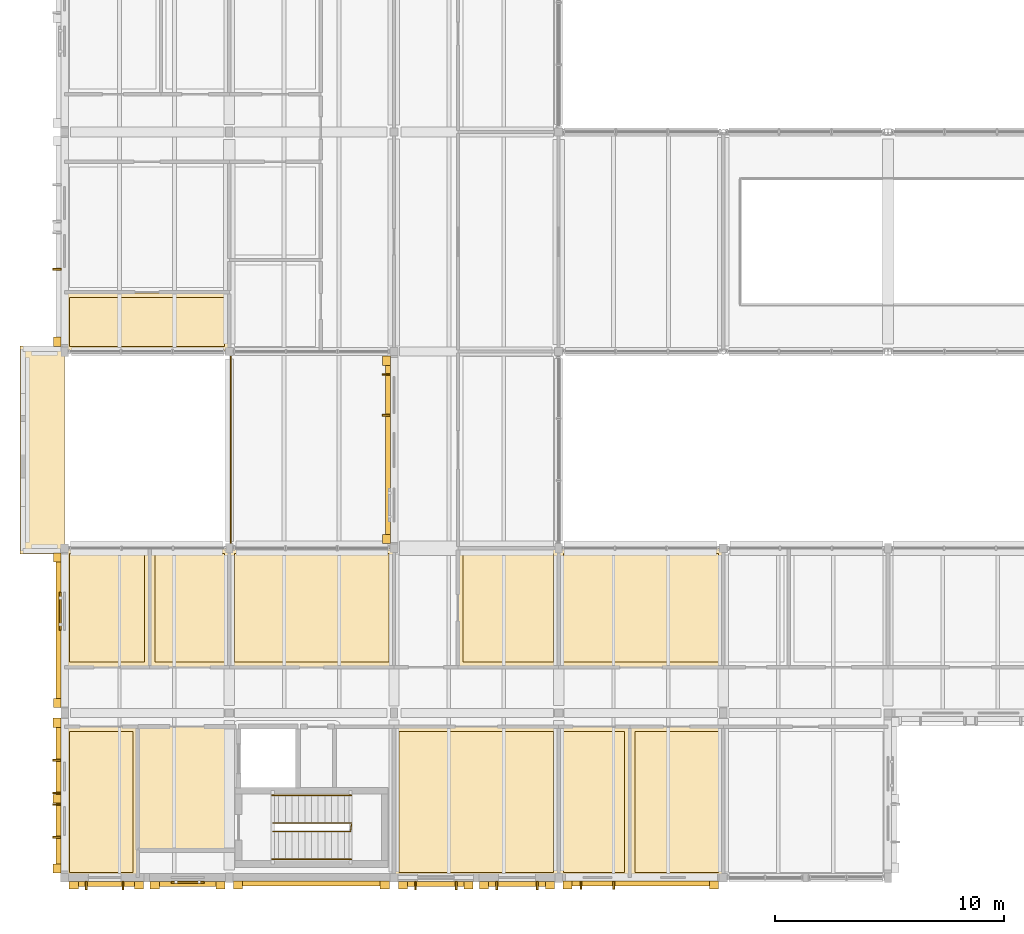
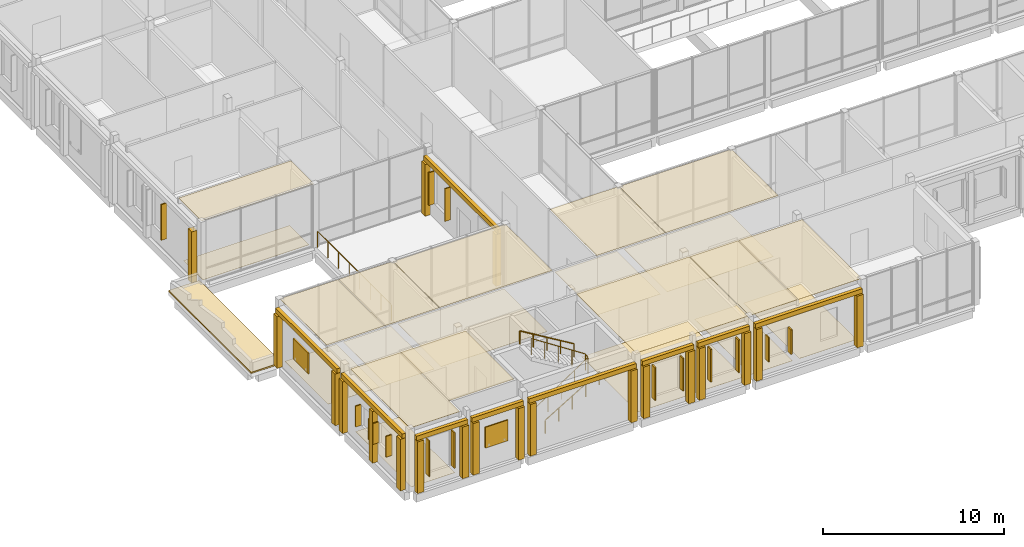
# One storey, part 131 of 146: 51 coverings, 17 shading devices, 4 railings.
"""IFC4 building model written with IfcOpenShell, lengths in metres."""

from ifc_helpers import new_model, si_unit, direction, frame, origin, origin_2d, place, context, subcontext, project, spatial, polyline, rectangle, circle, outline, extrude, material, layer, layer_set, type_object, element, save


model = new_model("IFC4")

# Units and contexts
model_context = context("Model", 3, precision=1e-05, world=origin(), true_north=direction((0.0, 1.0)))
body_context = subcontext(model_context, "Body", "Model", "MODEL_VIEW")
ifc_project = project(units=[si_unit("LENGTHUNIT", "METRE"), si_unit("AREAUNIT", "SQUARE_METRE"), si_unit("VOLUMEUNIT", "CUBIC_METRE"), si_unit("PLANEANGLEUNIT", "RADIAN"), si_unit("MASSUNIT", "GRAM", prefix="KILO")], contexts=[model_context])

# Site, building, storey
site_placement = place(None, origin())
site = spatial("IfcSite", under=ifc_project, at=site_placement, CompositionType="ELEMENT")
building_placement = place(site_placement, origin())
building = spatial("IfcBuilding", under=site, at=building_placement, Name="Hawrajan Terrace Health Centre", CompositionType="ELEMENT")
storey_placement = place(building_placement, frame((0.0, 0.0, 4.5)))
storey = spatial("IfcBuildingStorey", under=building, at=storey_placement, Name="L01", CompositionType="ELEMENT", Elevation=4.5)

# Coverings
ifc_material_1 = material(Name="Precast concrete C40/50", Category="concrete")
ifc_layer_1 = layer(ifc_material_1, 0.219970703125)
ifc_layer_set_1 = layer_set([ifc_layer_1], Name="Precast concrete C40/50")
covering_type_1 = type_object("IfcCoveringType", Name="ArtDecoCorniceBand", PredefinedType="CLADDING", material=ifc_layer_set_1)
covering_1_placement = place(storey_placement, frame((6.429931640625, 3.929931640625, 3.48974609375), z_axis=(0.0, 0.0, 1.0), x_axis=(1.0, 0.0, 0.0)))
element("IfcCovering", 1, at=covering_1_placement, inside=storey, type_object=covering_type_1, Name="Art Deco limestone cornice band CRN-L01-0047", PredefinedType="CLADDING", context=body_context, shape_type="SweptSolid", body=[
    extrude(rectangle(XDim=3.260009765625, YDim=0.219970703125, at=origin_2d()), origin(), (0.0, 0.0, 1.0), 0.300048828125),
])
covering_2_placement = place(storey_placement, frame((9.97998046875, 3.929931640625, 3.48974609375), z_axis=(0.0, 0.0, 1.0), x_axis=(1.0, 0.0, 0.0)))
element("IfcCovering", 2, at=covering_2_placement, inside=storey, type_object=covering_type_1, Name="Art Deco limestone cornice band CRN-L01-0048", PredefinedType="CLADDING", context=body_context, shape_type="SweptSolid", body=[
    extrude(rectangle(XDim=3.280029296875, YDim=0.219970703125, at=origin_2d()), origin(), (0.0, 0.0, 1.0), 0.300048828125),
])
for number, where, z_axis, x_axis, name in (
    (3, (4.330078125, 7.784912109375, 3.48974609375), (0.0, 0.0, 1.0), (0.0, 1.0, 0.0), "Art Deco limestone cornice band CRN-L01-0049"),
    (4, (4.340087890625, 15.014892578125, 3.48974609375), (0.0, 0.0, 1.0), (0.0, 1.0, 0.0), "Art Deco limestone cornice band CRN-L01-0050"),
):
    element("IfcCovering", number, at=place(storey_placement, frame(where, z_axis=z_axis, x_axis=x_axis)), inside=storey, type_object=covering_type_1, Name=name, PredefinedType="CLADDING", context=body_context, shape_type="SweptSolid", body=[
        extrude(rectangle(XDim=6.77001953125, YDim=0.219970703125, at=origin_2d()), origin(), (0.0, 0.0, 1.0), 0.300048828125),
    ])
covering_3_placement = place(storey_placement, frame((15.389892578125, 3.93994140625, 3.48974609375), z_axis=(0.0, 0.0, 1.0), x_axis=(1.0, 0.0, 0.0)))
element("IfcCovering", 5, at=covering_3_placement, inside=storey, type_object=covering_type_1, Name="Art Deco limestone cornice band CRN-L01-0057", PredefinedType="CLADDING", context=body_context, shape_type="SweptSolid", body=[
    extrude(rectangle(XDim=6.820068359375, YDim=0.219970703125, at=origin_2d()), origin(), (0.0, 0.0, 1.0), 0.300048828125),
])
covering_4_placement = place(storey_placement, frame((20.830078125, 3.929931640625, 3.48974609375), z_axis=(0.0, 0.0, 1.0), x_axis=(1.0, 0.0, 0.0)))
element("IfcCovering", 6, at=covering_4_placement, inside=storey, type_object=covering_type_1, Name="Art Deco limestone cornice band CRN-L01-0059", PredefinedType="CLADDING", context=body_context, shape_type="SweptSolid", body=[
    extrude(rectangle(XDim=3.260009765625, YDim=0.219970703125, at=origin_2d()), origin(), (0.0, 0.0, 1.0), 0.300048828125),
])
covering_5_placement = place(storey_placement, frame((24.3798828125, 3.929931640625, 3.48974609375), z_axis=(0.0, 0.0, 1.0), x_axis=(1.0, 0.0, 0.0)))
element("IfcCovering", 7, at=covering_5_placement, inside=storey, type_object=covering_type_1, Name="Art Deco limestone cornice band CRN-L01-0060", PredefinedType="CLADDING", context=body_context, shape_type="SweptSolid", body=[
    extrude(rectangle(XDim=3.280029296875, YDim=0.219970703125, at=origin_2d()), origin(), (0.0, 0.0, 1.0), 0.300048828125),
])
covering_6_placement = place(storey_placement, frame((18.72998046875, 22.89990234375, 3.48974609375), z_axis=(0.0, 0.0, 1.0), x_axis=(0.0, 1.0, 0.0)))
element("IfcCovering", 8, at=covering_6_placement, inside=storey, type_object=covering_type_1, Name="Art Deco limestone cornice band CRN-L01-0061", PredefinedType="CLADDING", context=body_context, shape_type="SweptSolid", body=[
    extrude(rectangle(XDim=8.199951171875, YDim=0.219970703125, at=origin_2d()), origin(), (0.0, 0.0, 1.0), 0.300048828125),
])
covering_7_placement = place(storey_placement, frame((29.7900390625, 3.93994140625, 3.48974609375), z_axis=(0.0, 0.0, 1.0), x_axis=(1.0, 0.0, 0.0)))
element("IfcCovering", 9, at=covering_7_placement, inside=storey, type_object=covering_type_1, Name="Art Deco limestone cornice band CRN-L01-0064", PredefinedType="CLADDING", context=body_context, shape_type="SweptSolid", body=[
    extrude(rectangle(XDim=6.820068359375, YDim=0.219970703125, at=origin_2d()), origin(), (0.0, 0.0, 1.0), 0.300048828125),
])
ifc_layer_2 = layer(ifc_material_1, 0.340087890625)
ifc_layer_set_2 = layer_set([ifc_layer_2], Name="Precast concrete C40/50")
covering_type_2 = type_object("IfcCoveringType", Name="ArtDecoStonePilaster", PredefinedType="CLADDING", material=ifc_layer_set_2)
for number, where, z_axis, x_axis, name in (
    (10, (5.0, 3.8701171875, 0.0), (0.0, 0.0, 1.0), (1.0, 0.0, 0.0), "Art Deco fluted limestone pilaster FPIL-L01-0063"),
    (11, (7.860107421875, 3.8701171875, 0.0), (0.0, 0.0, 1.0), (1.0, 0.0, 0.0), "Art Deco fluted limestone pilaster FPIL-L01-0064"),
    (12, (8.5400390625, 3.8701171875, 0.0), (0.0, 0.0, 1.0), (1.0, 0.0, 0.0), "Art Deco fluted limestone pilaster FPIL-L01-0065"),
    (13, (11.419921875, 3.8701171875, 0.0), (0.0, 0.0, 1.0), (1.0, 0.0, 0.0), "Art Deco fluted limestone pilaster FPIL-L01-0066"),
    (14, (4.27001953125, 4.60009765625, 0.0), (0.0, 0.0, 1.0), (0.0, 1.0, 0.0), "Art Deco fluted limestone pilaster FPIL-L01-0067"),
    (15, (4.27001953125, 10.969970703125, 0.0), (0.0, 0.0, 1.0), (0.0, 1.0, 0.0), "Art Deco fluted limestone pilaster FPIL-L01-0068"),
):
    element("IfcCovering", number, at=place(storey_placement, frame(where, z_axis=z_axis, x_axis=x_axis)), inside=storey, type_object=covering_type_2, Name=name, PredefinedType="CLADDING", context=body_context, shape_type="SweptSolid", body=[
        extrude(rectangle(XDim=0.39990234375, YDim=0.340087890625, at=origin_2d()), origin(), (0.0, 0.0, 1.0), 3.47998046875),
    ])
covering_8_placement = place(storey_placement, frame((4.27001953125, 7.64990234375, 0.0), z_axis=(0.0, 0.0, 1.0), x_axis=(0.0, 1.0, 0.0)))
element("IfcCovering", 16, at=covering_8_placement, inside=storey, type_object=covering_type_2, Name="Art Deco mullion pilaster FPIL-L01-0069", PredefinedType="CLADDING", context=body_context, shape_type="SweptSolid", body=[
    extrude(rectangle(XDim=0.360107421875, YDim=0.340087890625, at=origin_2d()), origin(), (0.0, 0.0, 1.0), 3.47998046875),
])
for number, where, z_axis, x_axis, name in (
    (17, (4.280029296875, 11.830078125, 0.0), (0.0, 0.0, 1.0), (0.0, 1.0, 0.0), "Art Deco fluted limestone pilaster FPIL-L01-0070"),
    (18, (4.280029296875, 18.199951171875, 0.0), (0.0, 0.0, 1.0), (0.0, 1.0, 0.0), "Art Deco fluted limestone pilaster FPIL-L01-0071"),
    (19, (4.280029296875, 27.6298828125, 0.0), (0.0, 0.0, 1.0), (0.0, 1.0, 0.0), "Art Deco fluted limestone pilaster FPIL-L01-0072"),
    (20, (12.179931640625, 3.8798828125, 0.0), (0.0, 0.0, 1.0), (1.0, 0.0, 0.0), "Art Deco fluted limestone pilaster FPIL-L01-0087"),
    (21, (18.60009765625, 3.8798828125, 0.0), (0.0, 0.0, 1.0), (1.0, 0.0, 0.0), "Art Deco fluted limestone pilaster FPIL-L01-0088"),
    (22, (19.39990234375, 3.8701171875, 0.0), (0.0, 0.0, 1.0), (1.0, 0.0, 0.0), "Art Deco fluted limestone pilaster FPIL-L01-0091"),
    (23, (22.260009765625, 3.8701171875, 0.0), (0.0, 0.0, 1.0), (1.0, 0.0, 0.0), "Art Deco fluted limestone pilaster FPIL-L01-0092"),
    (24, (22.93994140625, 3.8701171875, 0.0), (0.0, 0.0, 1.0), (1.0, 0.0, 0.0), "Art Deco fluted limestone pilaster FPIL-L01-0093"),
    (25, (25.820068359375, 3.8701171875, 0.0), (0.0, 0.0, 1.0), (1.0, 0.0, 0.0), "Art Deco fluted limestone pilaster FPIL-L01-0094"),
    (26, (18.669921875, 19.0, 0.0), (0.0, 0.0, 1.0), (0.0, 1.0, 0.0), "Art Deco fluted limestone pilaster FPIL-L01-0095"),
    (27, (18.669921875, 26.800048828125, 0.0), (0.0, 0.0, 1.0), (0.0, 1.0, 0.0), "Art Deco fluted limestone pilaster FPIL-L01-0096"),
    (28, (26.580078125, 3.8798828125, 0.0), (0.0, 0.0, 1.0), (1.0, 0.0, 0.0), "Art Deco fluted limestone pilaster FPIL-L01-0101"),
    (29, (33.0, 3.8798828125, 0.0), (0.0, 0.0, 1.0), (1.0, 0.0, 0.0), "Art Deco fluted limestone pilaster FPIL-L01-0102"),
):
    element("IfcCovering", number, at=place(storey_placement, frame(where, z_axis=z_axis, x_axis=x_axis)), inside=storey, type_object=covering_type_2, Name=name, PredefinedType="CLADDING", context=body_context, shape_type="SweptSolid", body=[
        extrude(rectangle(XDim=0.39990234375, YDim=0.340087890625, at=origin_2d()), origin(), (0.0, 0.0, 1.0), 3.47998046875),
    ])
ifc_material_2 = material(Name="Hygienic mineral-fibre acoustic tile ceiling")
ifc_layer_3 = layer(ifc_material_2, 0.02490234375)
ifc_layer_set_3 = layer_set([ifc_layer_3], Name="Hygienic mineral-fibre acoustic tile ceiling")
covering_type_3 = type_object("IfcCoveringType", Name="ClinicalAcousticCeiling_25", PredefinedType="CEILING", material=ifc_layer_set_3)
covering_9_placement = place(storey_placement, frame((0.0, 0.0, 4.155029296875)))
element("IfcCovering", 30, at=covering_9_placement, inside=storey, type_object=covering_type_3, Name="Suspended ceiling L01-022", PredefinedType="CEILING", context=body_context, shape_type="SweptSolid", body=[
    extrude(outline(polyline([(7.820068359375, 5.419921875), (7.820068359375, 10.780029296875), (11.929931640625, 10.780029296875), (11.929931640625, 5.419921875), (7.820068359375, 5.419921875)])), origin(), (0.0, 0.0, 1.0), 0.02490234375),
])
covering_10_placement = place(storey_placement, frame((0.0, 0.0, 4.155029296875)))
element("IfcCovering", 31, at=covering_10_placement, inside=storey, type_object=covering_type_3, Name="Suspended ceiling L01-076", PredefinedType="CEILING", context=body_context, shape_type="SweptSolid", body=[
    extrude(outline(polyline([(4.6201171875, 29.76953125), (11.780029296875, 29.76953125), (11.780029296875, 27.219970703125), (4.6201171875, 27.219970703125), (4.6201171875, 29.76953125)])), origin(), (0.0, 0.0, 1.0), 0.02490234375),
])
covering_11_placement = place(storey_placement, frame((0.0, 0.0, 4.155029296875)))
element("IfcCovering", 32, at=covering_11_placement, inside=storey, type_object=covering_type_3, Name="Suspended ceiling L01-128", PredefinedType="CEILING", context=body_context, shape_type="SweptSolid", body=[
    extrude(outline(polyline([(4.6201171875, 10.780029296875), (7.780029296875, 10.780029296875), (7.780029296875, 4.219970703125), (4.6201171875, 4.219970703125), (4.6201171875, 10.780029296875)])), origin(), (0.0, 0.0, 1.0), 0.02490234375),
])
covering_12_placement = place(storey_placement, frame((0.0, 0.0, 4.155029296875)))
element("IfcCovering", 33, at=covering_12_placement, inside=storey, type_object=covering_type_3, Name="Suspended ceiling L01-129", PredefinedType="CEILING", context=body_context, shape_type="SweptSolid", body=[
    extrude(outline(polyline([(4.6201171875, 18.580078125), (8.302490234375, 18.580078125), (8.302490234375, 13.419921875), (4.6201171875, 13.419921875), (4.6201171875, 18.580078125)])), origin(), (0.0, 0.0, 1.0), 0.02490234375),
])
covering_13_placement = place(storey_placement, frame((0.0, 0.0, 4.155029296875)))
element("IfcCovering", 34, at=covering_13_placement, inside=storey, type_object=covering_type_3, Name="Suspended ceiling L01-130", PredefinedType="CEILING", context=body_context, shape_type="SweptSolid", body=[
    extrude(outline(polyline([(8.34228515625, 18.580078125), (11.780029296875, 18.580078125), (11.780029296875, 13.419921875), (8.34228515625, 13.419921875), (8.34228515625, 18.580078125)])), origin(), (0.0, 0.0, 1.0), 0.02490234375),
])
covering_14_placement = place(storey_placement, frame((0.0, 0.0, 4.155029296875)))
element("IfcCovering", 35, at=covering_14_placement, inside=storey, type_object=covering_type_3, Name="Suspended ceiling L01-131", PredefinedType="CEILING", context=body_context, shape_type="SweptSolid", body=[
    extrude(outline(polyline([(11.820068359375, 18.580078125), (18.97998046875, 18.580078125), (18.97998046875, 13.419921875), (11.820068359375, 13.419921875), (11.820068359375, 18.580078125)])), origin(), (0.0, 0.0, 1.0), 0.02490234375),
])
covering_15_placement = place(storey_placement, frame((0.0, 0.0, 4.155029296875)))
element("IfcCovering", 36, at=covering_15_placement, inside=storey, type_object=covering_type_3, Name="Suspended ceiling L01-132", PredefinedType="CEILING", context=body_context, shape_type="SweptSolid", body=[
    extrude(outline(polyline([(19.02001953125, 10.780029296875), (26.179931640625, 10.780029296875), (26.179931640625, 4.219970703125), (19.02001953125, 4.219970703125), (19.02001953125, 10.780029296875)])), origin(), (0.0, 0.0, 1.0), 0.02490234375),
])
covering_16_placement = place(storey_placement, frame((0.0, 0.0, 4.155029296875)))
element("IfcCovering", 37, at=covering_16_placement, inside=storey, type_object=covering_type_3, Name="Suspended ceiling L01-133", PredefinedType="CEILING", context=body_context, shape_type="SweptSolid", body=[
    extrude(outline(polyline([(21.820068359375, 18.580078125), (26.179931640625, 18.580078125), (26.179931640625, 13.419921875), (21.820068359375, 13.419921875), (21.820068359375, 18.580078125)])), origin(), (0.0, 0.0, 1.0), 0.02490234375),
])
covering_17_placement = place(storey_placement, frame((0.0, 0.0, 4.155029296875)))
element("IfcCovering", 38, at=covering_17_placement, inside=storey, type_object=covering_type_3, Name="Suspended ceiling L01-134", PredefinedType="CEILING", context=body_context, shape_type="SweptSolid", body=[
    extrude(outline(polyline([(26.219970703125, 10.780029296875), (29.290283203125, 10.780029296875), (29.290283203125, 4.219970703125), (26.219970703125, 4.219970703125), (26.219970703125, 10.780029296875)])), origin(), (0.0, 0.0, 1.0), 0.02490234375),
])
covering_18_placement = place(storey_placement, frame((0.0, 0.0, 4.155029296875)))
element("IfcCovering", 39, at=covering_18_placement, inside=storey, type_object=covering_type_3, Name="Suspended ceiling L01-135", PredefinedType="CEILING", context=body_context, shape_type="SweptSolid", body=[
    extrude(outline(polyline([(29.330322265625, 10.780029296875), (33.3798828125, 10.780029296875), (33.3798828125, 4.219970703125), (29.330322265625, 4.219970703125), (29.330322265625, 10.780029296875)])), origin(), (0.0, 0.0, 1.0), 0.02490234375),
])
covering_19_placement = place(storey_placement, frame((0.0, 0.0, 4.155029296875)))
element("IfcCovering", 40, at=covering_19_placement, inside=storey, type_object=covering_type_3, Name="Suspended ceiling L01-136", PredefinedType="CEILING", context=body_context, shape_type="SweptSolid", body=[
    extrude(outline(polyline([(26.219970703125, 18.580078125), (33.3798828125, 18.580078125), (33.3798828125, 13.419921875), (26.219970703125, 13.419921875), (26.219970703125, 18.580078125)])), origin(), (0.0, 0.0, 1.0), 0.02490234375),
])
ifc_material_3 = material(Name="Seamless medical-grade cushioned vinyl flooring")
ifc_layer_4 = layer(ifc_material_3, 0.011962890625)
ifc_layer_set_4 = layer_set([ifc_layer_4], Name="Seamless medical-grade cushioned vinyl flooring")
covering_type_4 = type_object("IfcCoveringType", Name="ClinicalVinylFlooring_12", PredefinedType="FLOORING", material=ifc_layer_set_4)
covering_20_placement = place(storey_placement, origin())
element("IfcCovering", 41, at=covering_20_placement, inside=storey, type_object=covering_type_4, Name="Floor finish L01-076", PredefinedType="FLOORING", context=body_context, shape_type="SweptSolid", body=[
    extrude(outline(polyline([(4.820068359375, 29.569580078125), (11.580078125, 29.569580078125), (11.580078125, 27.419921875), (4.820068359375, 27.419921875), (4.820068359375, 29.569580078125)])), origin(), (0.0, 0.0, 1.0), 0.011962890625),
])
covering_21_placement = place(storey_placement, origin())
element("IfcCovering", 42, at=covering_21_placement, inside=storey, type_object=covering_type_4, Name="Floor finish L01-128", PredefinedType="FLOORING", context=body_context, shape_type="SweptSolid", body=[
    extrude(outline(polyline([(4.820068359375, 10.580078125), (7.580078125, 10.580078125), (7.580078125, 4.419921875), (4.820068359375, 4.419921875), (4.820068359375, 10.580078125)])), origin(), (0.0, 0.0, 1.0), 0.011962890625),
])
covering_22_placement = place(storey_placement, origin())
element("IfcCovering", 43, at=covering_22_placement, inside=storey, type_object=covering_type_4, Name="Floor finish L01-129", PredefinedType="FLOORING", context=body_context, shape_type="SweptSolid", body=[
    extrude(outline(polyline([(4.820068359375, 18.3798828125), (8.102294921875, 18.3798828125), (8.102294921875, 13.6201171875), (4.820068359375, 13.6201171875), (4.820068359375, 18.3798828125)])), origin(), (0.0, 0.0, 1.0), 0.011962890625),
])
covering_23_placement = place(storey_placement, origin())
element("IfcCovering", 44, at=covering_23_placement, inside=storey, type_object=covering_type_4, Name="Floor finish L01-130", PredefinedType="FLOORING", context=body_context, shape_type="SweptSolid", body=[
    extrude(outline(polyline([(8.54248046875, 18.3798828125), (11.580078125, 18.3798828125), (11.580078125, 13.6201171875), (8.54248046875, 13.6201171875), (8.54248046875, 18.3798828125)])), origin(), (0.0, 0.0, 1.0), 0.011962890625),
])
covering_24_placement = place(storey_placement, origin())
element("IfcCovering", 45, at=covering_24_placement, inside=storey, type_object=covering_type_4, Name="Floor finish L01-131", PredefinedType="FLOORING", context=body_context, shape_type="SweptSolid", body=[
    extrude(outline(polyline([(12.02001953125, 18.3798828125), (18.780029296875, 18.3798828125), (18.780029296875, 13.6201171875), (12.02001953125, 13.6201171875), (12.02001953125, 18.3798828125)])), origin(), (0.0, 0.0, 1.0), 0.011962890625),
])
covering_25_placement = place(storey_placement, origin())
element("IfcCovering", 46, at=covering_25_placement, inside=storey, type_object=covering_type_4, Name="Floor finish L01-132", PredefinedType="FLOORING", context=body_context, shape_type="SweptSolid", body=[
    extrude(outline(polyline([(19.219970703125, 10.580078125), (25.97998046875, 10.580078125), (25.97998046875, 4.419921875), (19.219970703125, 4.419921875), (19.219970703125, 10.580078125)])), origin(), (0.0, 0.0, 1.0), 0.011962890625),
])
covering_26_placement = place(storey_placement, origin())
element("IfcCovering", 47, at=covering_26_placement, inside=storey, type_object=covering_type_4, Name="Floor finish L01-133", PredefinedType="FLOORING", context=body_context, shape_type="SweptSolid", body=[
    extrude(outline(polyline([(22.02001953125, 18.3798828125), (25.97998046875, 18.3798828125), (25.97998046875, 13.6201171875), (22.02001953125, 13.6201171875), (22.02001953125, 18.3798828125)])), origin(), (0.0, 0.0, 1.0), 0.011962890625),
])
covering_27_placement = place(storey_placement, origin())
element("IfcCovering", 48, at=covering_27_placement, inside=storey, type_object=covering_type_4, Name="Floor finish L01-134", PredefinedType="FLOORING", context=body_context, shape_type="SweptSolid", body=[
    extrude(outline(polyline([(26.419921875, 10.580078125), (29.09033203125, 10.580078125), (29.09033203125, 4.419921875), (26.419921875, 4.419921875), (26.419921875, 10.580078125)])), origin(), (0.0, 0.0, 1.0), 0.011962890625),
])
covering_28_placement = place(storey_placement, origin())
element("IfcCovering", 49, at=covering_28_placement, inside=storey, type_object=covering_type_4, Name="Floor finish L01-135", PredefinedType="FLOORING", context=body_context, shape_type="SweptSolid", body=[
    extrude(outline(polyline([(29.530517578125, 10.580078125), (33.179931640625, 10.580078125), (33.179931640625, 4.419921875), (29.530517578125, 4.419921875), (29.530517578125, 10.580078125)])), origin(), (0.0, 0.0, 1.0), 0.011962890625),
])
covering_29_placement = place(storey_placement, origin())
element("IfcCovering", 50, at=covering_29_placement, inside=storey, type_object=covering_type_4, Name="Floor finish L01-136", PredefinedType="FLOORING", context=body_context, shape_type="SweptSolid", body=[
    extrude(outline(polyline([(26.419921875, 18.3798828125), (33.179931640625, 18.3798828125), (33.179931640625, 13.6201171875), (26.419921875, 13.6201171875), (26.419921875, 18.3798828125)])), origin(), (0.0, 0.0, 1.0), 0.011962890625),
])
ifc_material_4 = material(Name="Reflective TPO cool-roof membrane and mineral wool")
ifc_layer_5 = layer(ifc_material_4, 0.094970703125)
ifc_layer_set_5 = layer_set([ifc_layer_5], Name="Reflective TPO cool-roof membrane and mineral wool")
covering_type_5 = type_object("IfcCoveringType", Name="CoolMembrane_Roofing", PredefinedType="ROOFING", material=ifc_layer_set_5)
covering_30_placement = place(storey_placement, frame((0.0, 0.0, -0.050048828125)))
element("IfcCovering", 51, at=covering_30_placement, inside=storey, type_object=covering_type_5, Name="Patient drop-off portico roofing", PredefinedType="ROOFING", context=body_context, shape_type="SweptSolid", body=[
    extrude(outline(polyline([(2.64990234375, 18.35009765625), (4.60009765625, 18.35009765625), (4.60009765625, 27.449951171875), (2.64990234375, 27.449951171875), (2.64990234375, 18.35009765625)])), origin(), (0.0, 0.0, 1.0), 0.094970703125),
])

# Shading devices
ifc_material_5 = material(Name="Anodized bronze mashrabiya vertical solar fin")
ifc_layer_6 = layer(ifc_material_5, 0.080078125)
ifc_layer_set_6 = layer_set([ifc_layer_6], Name="Anodized bronze mashrabiya vertical solar fin")
shading_device_type_1 = type_object("IfcShadingDeviceType", Name="MashrabiyaVerticalFin", PredefinedType="USERDEFINED", material=ifc_layer_set_6)
for number, where, z_axis, x_axis, name in (
    (52, (5.550048828125, 3.860107421875, 0.900146484375), (0.0, 0.0, 1.0), (1.0, 0.0, 0.0), "Bronze mashrabiya solar fin FIN-L01-0046"),
    (53, (7.14990234375, 3.860107421875, 0.900146484375), (0.0, 0.0, 1.0), (1.0, 0.0, 0.0), "Bronze mashrabiya solar fin FIN-L01-0047"),
):
    element("IfcShadingDevice", number, at=place(storey_placement, frame(where, z_axis=z_axis, x_axis=x_axis)), inside=storey, type_object=shading_device_type_1, Name=name, ObjectType="SOLAR_FIN", PredefinedType="USERDEFINED", context=body_context, shape_type="SweptSolid", body=[
        extrude(rectangle(XDim=0.080078125, YDim=0.360107421875, at=origin_2d()), origin(), (0.0, 0.0, 1.0), 2.39990234375),
    ])
for number, where, z_axis, x_axis, name in (
    (54, (4.260009765625, 5.969970703125, 1.35009765625), (0.0, 0.0, 1.0), (0.0, 1.0, 0.0), "Bronze mashrabiya solar fin FIN-L01-0049"),
    (55, (4.260009765625, 7.39990234375, 1.35009765625), (0.0, 0.0, 1.0), (0.0, 1.0, 0.0), "Bronze mashrabiya solar fin FIN-L01-0050"),
    (56, (4.260009765625, 7.89990234375, 1.35009765625), (0.0, 0.0, 1.0), (0.0, 1.0, 0.0), "Bronze mashrabiya solar fin FIN-L01-0051"),
    (57, (4.260009765625, 9.330078125, 1.35009765625), (0.0, 0.0, 1.0), (0.0, 1.0, 0.0), "Bronze mashrabiya solar fin FIN-L01-0052"),
):
    element("IfcShadingDevice", number, at=place(storey_placement, frame(where, z_axis=z_axis, x_axis=x_axis)), inside=storey, type_object=shading_device_type_1, Name=name, ObjectType="SOLAR_FIN", PredefinedType="USERDEFINED", context=body_context, shape_type="SweptSolid", body=[
        extrude(rectangle(XDim=0.080078125, YDim=0.360107421875, at=origin_2d()), origin(), (0.0, 0.0, 1.0), 1.39990234375),
    ])
shading_device_1_placement = place(storey_placement, frame((4.27001953125, 30.794921875, 0.900146484375), z_axis=(0.0, 0.0, 1.0), x_axis=(0.0, 1.0, 0.0)))
element("IfcShadingDevice", 58, at=shading_device_1_placement, inside=storey, type_object=shading_device_type_1, Name="Bronze mashrabiya solar fin FIN-L01-0054", ObjectType="SOLAR_FIN", PredefinedType="USERDEFINED", context=body_context, shape_type="SweptSolid", body=[
    extrude(rectangle(XDim=0.080078125, YDim=0.360107421875, at=origin_2d()), origin(), (0.0, 0.0, 1.0), 2.39990234375),
])
for number, where, z_axis, x_axis, name in (
    (59, (19.93994140625, 3.860107421875, 1.0), (0.0, 0.0, 1.0), (1.0, 0.0, 0.0), "Bronze mashrabiya solar fin FIN-L01-0066"),
    (60, (21.719970703125, 3.860107421875, 1.0), (0.0, 0.0, 1.0), (1.0, 0.0, 0.0), "Bronze mashrabiya solar fin FIN-L01-0067"),
    (61, (23.489990234375, 3.860107421875, 1.0), (0.0, 0.0, 1.0), (1.0, 0.0, 0.0), "Bronze mashrabiya solar fin FIN-L01-0068"),
    (62, (25.27001953125, 3.860107421875, 1.0), (0.0, 0.0, 1.0), (1.0, 0.0, 0.0), "Bronze mashrabiya solar fin FIN-L01-0069"),
    (63, (18.659912109375, 24.4150390625, 1.0), (0.0, 0.0, 1.0), (0.0, 1.0, 0.0), "Bronze mashrabiya solar fin FIN-L01-0071"),
    (64, (18.659912109375, 26.195068359375, 1.0), (0.0, 0.0, 1.0), (0.0, 1.0, 0.0), "Bronze mashrabiya solar fin FIN-L01-0072"),
):
    element("IfcShadingDevice", number, at=place(storey_placement, frame(where, z_axis=z_axis, x_axis=x_axis)), inside=storey, type_object=shading_device_type_1, Name=name, ObjectType="SOLAR_FIN", PredefinedType="USERDEFINED", context=body_context, shape_type="SweptSolid", body=[
        extrude(rectangle(XDim=0.080078125, YDim=0.360107421875, at=origin_2d()), origin(), (0.0, 0.0, 1.0), 2.199951171875),
    ])
for number, where, z_axis, x_axis, name in (
    (65, (27.17529296875, 3.8701171875, 1.050048828125), (0.0, 0.0, 1.0), (1.0, 0.0, 0.0), "Bronze mashrabiya solar fin FIN-L01-0073"),
    (66, (28.615234375, 3.8701171875, 1.050048828125), (0.0, 0.0, 1.0), (1.0, 0.0, 0.0), "Bronze mashrabiya solar fin FIN-L01-0074"),
):
    element("IfcShadingDevice", number, at=place(storey_placement, frame(where, z_axis=z_axis, x_axis=x_axis)), inside=storey, type_object=shading_device_type_1, Name=name, ObjectType="SOLAR_FIN", PredefinedType="USERDEFINED", context=body_context, shape_type="SweptSolid", body=[
        extrude(rectangle(XDim=0.080078125, YDim=0.360107421875, at=origin_2d()), origin(), (0.0, 0.0, 1.0), 1.64990234375),
    ])
ifc_material_6 = material(Name="Anodized bronze and cedar roshan lattice")
ifc_layer_7 = layer(ifc_material_6, 0.080078125)
ifc_layer_set_7 = layer_set([ifc_layer_7], Name="Anodized bronze and cedar roshan lattice")
shading_device_type_2 = type_object("IfcShadingDeviceType", Name="RoshanScreen_BronzeCedar", PredefinedType="JALOUSIE", material=ifc_layer_set_7)
shading_device_2_placement = place(storey_placement, frame((9.97998046875, 3.9951171875, 1.35009765625), z_axis=(0.0, 0.0, 1.0), x_axis=(1.0, 0.0, 0.0)))
element("IfcShadingDevice", 67, at=shading_device_2_placement, inside=storey, type_object=shading_device_type_2, Name="Hijazi roshan solar screen RSH-L01-048", PredefinedType="JALOUSIE", context=body_context, shape_type="SweptSolid", body=[
    extrude(rectangle(XDim=1.449951171875, YDim=0.080078125, at=origin_2d()), origin(), (0.0, 0.0, 1.0), 1.39990234375),
])
shading_device_3_placement = place(storey_placement, frame((4.405029296875, 15.85009765625, 1.35009765625), z_axis=(0.0, 0.0, 1.0), x_axis=(0.0, 1.0, 0.0)))
element("IfcShadingDevice", 68, at=shading_device_3_placement, inside=storey, type_object=shading_device_type_2, Name="Hijazi roshan solar screen RSH-L01-053", PredefinedType="JALOUSIE", context=body_context, shape_type="SweptSolid", body=[
    extrude(rectangle(XDim=1.64990234375, YDim=0.080078125, at=origin_2d()), origin(), (0.0, 0.0, 1.0), 1.39990234375),
])

# Railings
ifc_material_7 = material(Name="Brushed stainless steel tubular handrail", Category="steel")
railing_type_1 = type_object("IfcRailingType", Name="StairHandrail_900", PredefinedType="HANDRAIL", material=ifc_material_7)
railing_1_placement = place(storey_placement, frame((13.675048828125, 5.0, 0.173095703125)))
element("IfcRailing", 69, at=railing_1_placement, inside=storey, type_object=railing_type_1, Name="Stair handrail ST-3-L01-H1", PredefinedType="HANDRAIL", context=body_context, shape_type="SweptSolid", body=[
    extrude(circle(Radius=0.02392578125, at=origin_2d()), frame((0.024658203125, 0.0, 0.890625), z_axis=(0.856732359591, 0.0, 0.515761247119), x_axis=(0.0, 1.0, 0.0)), (0.0, 0.0, 1.0), 3.96923828125),
    extrude(circle(Radius=0.02099609375, at=origin_2d()), origin(), (0.0, 0.0, 1.0), 0.846923828125),
    extrude(circle(Radius=0.02099609375, at=origin_2d()), frame((0.862548828125, 0.0, 0.519287109375)), (0.0, 0.0, 1.0), 0.846923828125),
    extrude(circle(Radius=0.02099609375, at=origin_2d()), frame((1.72509765625, 0.0, 1.03857421875)), (0.0, 0.0, 1.0), 0.846923828125),
    extrude(circle(Radius=0.02099609375, at=origin_2d()), frame((2.58740234375, 0.0, 1.5576171875)), (0.0, 0.0, 1.0), 0.846923828125),
    extrude(circle(Radius=0.02099609375, at=origin_2d()), frame((3.449951171875, 0.0, 2.076904296875)), (0.0, 0.0, 1.0), 0.846923828125),
])
railing_2_placement = place(storey_placement, frame((17.125, 7.800048828125, 2.423095703125)))
element("IfcRailing", 70, at=railing_2_placement, inside=storey, type_object=railing_type_1, Name="Stair handrail ST-3-L01-H2", PredefinedType="HANDRAIL", context=body_context, shape_type="SweptSolid", body=[
    extrude(circle(Radius=0.02392578125, at=origin_2d()), frame((-0.024658203125, 0.0, 0.890625), z_axis=(-0.856732359591, 0.0, 0.515761247119), x_axis=(0.0, -1.0, 0.0)), (0.0, 0.0, 1.0), 3.96923828125),
    extrude(circle(Radius=0.02099609375, at=origin_2d()), origin(), (0.0, 0.0, 1.0), 0.846923828125),
    extrude(circle(Radius=0.02099609375, at=origin_2d()), frame((-0.862548828125, 0.0, 0.519287109375)), (0.0, 0.0, 1.0), 0.846923828125),
    extrude(circle(Radius=0.02099609375, at=origin_2d()), frame((-1.72509765625, 0.0, 1.03857421875)), (0.0, 0.0, 1.0), 0.846923828125),
    extrude(circle(Radius=0.02099609375, at=origin_2d()), frame((-2.58740234375, 0.0, 1.5576171875)), (0.0, 0.0, 1.0), 0.846923828125),
    extrude(circle(Radius=0.02099609375, at=origin_2d()), frame((-3.449951171875, 0.0, 2.076904296875)), (0.0, 0.0, 1.0), 0.846923828125),
])
ifc_material_8 = material(Name="Painted steel stair well guard", Category="steel")
railing_type_2 = type_object("IfcRailingType", Name="StairWellGuard_1120", PredefinedType="GUARDRAIL", material=ifc_material_8)
railing_3_placement = place(storey_placement, frame((13.699951171875, 6.219970703125, 0.0)))
element("IfcRailing", 71, at=railing_3_placement, inside=storey, type_object=railing_type_2, Name="Stair well guard ST-3-L01-G1", PredefinedType="GUARDRAIL", context=body_context, shape_type="SweptSolid", body=[
    extrude(circle(Radius=0.02392578125, at=origin_2d()), frame((0.024169921875, 0.0, 1.112060546875), z_axis=(0.833943147616, 0.0, 0.551850366082), x_axis=(0.0, 1.0, 0.0)), (0.0, 0.0, 1.0), 4.01953125),
    extrude(circle(Radius=0.02392578125, at=origin_2d()), frame((3.404052734375, 0.028564453125, 3.34619140625), z_axis=(0.137000993654, 0.99057091, 0.0), x_axis=(-0.99057091, 0.137000993654, 0.0)), (0.0, 0.0, 1.0), 0.305908203125),
    extrude(circle(Radius=0.02392578125, at=origin_2d()), frame((3.42578125, 0.360107421875, 3.36181640625), z_axis=(-0.837607059222, 0.0, 0.546273204854), x_axis=(0.0, -1.0, 0.0)), (0.0, 0.0, 1.0), 4.06103515625),
    extrude(circle(Radius=0.02099609375, at=origin_2d()), origin(), (0.0, 0.0, 1.0), 1.067138671875),
    extrude(circle(Radius=0.02099609375, at=origin_2d()), frame((0.85009765625, 0.0, 0.5625)), (0.0, 0.0, 1.0), 1.067138671875),
    extrude(circle(Radius=0.02099609375, at=origin_2d()), frame((1.7001953125, 0.0, 1.125)), (0.0, 0.0, 1.0), 1.067138671875),
    extrude(circle(Radius=0.02099609375, at=origin_2d()), frame((2.550048828125, 0.0, 1.6875)), (0.0, 0.0, 1.0), 1.067138671875),
    extrude(circle(Radius=0.02099609375, at=origin_2d()), frame((3.400146484375, 0.0, 2.25)), (0.0, 0.0, 1.0), 1.067138671875),
    extrude(circle(Radius=0.02099609375, at=origin_2d()), frame((3.449951171875, 0.360107421875, 2.25)), (0.0, 0.0, 1.0), 1.067138671875),
    extrude(circle(Radius=0.02099609375, at=origin_2d()), frame((2.58740234375, 0.360107421875, 2.8125)), (0.0, 0.0, 1.0), 1.067138671875),
    extrude(circle(Radius=0.02099609375, at=origin_2d()), frame((1.72509765625, 0.360107421875, 3.375)), (0.0, 0.0, 1.0), 1.067138671875),
    extrude(circle(Radius=0.02099609375, at=origin_2d()), frame((0.862548828125, 0.360107421875, 3.9375)), (0.0, 0.0, 1.0), 1.067138671875),
    extrude(circle(Radius=0.02099609375, at=origin_2d()), frame((0.0, 0.360107421875, 4.5)), (0.0, 0.0, 1.0), 1.067138671875),
])
ifc_material_9 = material(Name="Anodized bronze post and balustrade guard")
railing_type_3 = type_object("IfcRailingType", Name="TerraceGuard_1120", PredefinedType="GUARDRAIL", material=ifc_material_9)
railing_4_placement = place(storey_placement, frame((11.860107421875, 18.820068359375, 0.0)))
element("IfcRailing", 72, at=railing_4_placement, inside=storey, type_object=railing_type_3, Name="Terrace perimeter guard L01-001", PredefinedType="GUARDRAIL", context=body_context, shape_type="SweptSolid", body=[
    extrude(circle(Radius=0.02392578125, at=origin_2d()), frame((0.0, 0.02880859375, 1.09619140625), z_axis=(0.0, 1.0, 0.0), x_axis=(-1.0, 0.0, 0.0)), (0.0, 0.0, 1.0), 8.102294921875),
    extrude(circle(Radius=0.02099609375, at=origin_2d()), origin(), (0.0, 0.0, 1.0), 1.067138671875),
    extrude(circle(Radius=0.02099609375, at=origin_2d()), frame((0.0, 1.165771484375, 0.0)), (0.0, 0.0, 1.0), 1.067138671875),
    extrude(circle(Radius=0.02099609375, at=origin_2d()), frame((0.0, 2.331298828125, 0.0)), (0.0, 0.0, 1.0), 1.067138671875),
    extrude(circle(Radius=0.02099609375, at=origin_2d()), frame((0.0, 3.4970703125, 0.0)), (0.0, 0.0, 1.0), 1.067138671875),
    extrude(circle(Radius=0.02099609375, at=origin_2d()), frame((0.0, 4.662841796875, 0.0)), (0.0, 0.0, 1.0), 1.067138671875),
    extrude(circle(Radius=0.02099609375, at=origin_2d()), frame((0.0, 5.82861328125, 0.0)), (0.0, 0.0, 1.0), 1.067138671875),
    extrude(circle(Radius=0.02099609375, at=origin_2d()), frame((0.0, 6.994140625, 0.0)), (0.0, 0.0, 1.0), 1.067138671875),
    extrude(circle(Radius=0.02099609375, at=origin_2d()), frame((0.0, 8.159912109375, 0.0)), (0.0, 0.0, 1.0), 1.067138671875),
])

save(model, "model.ifc")
